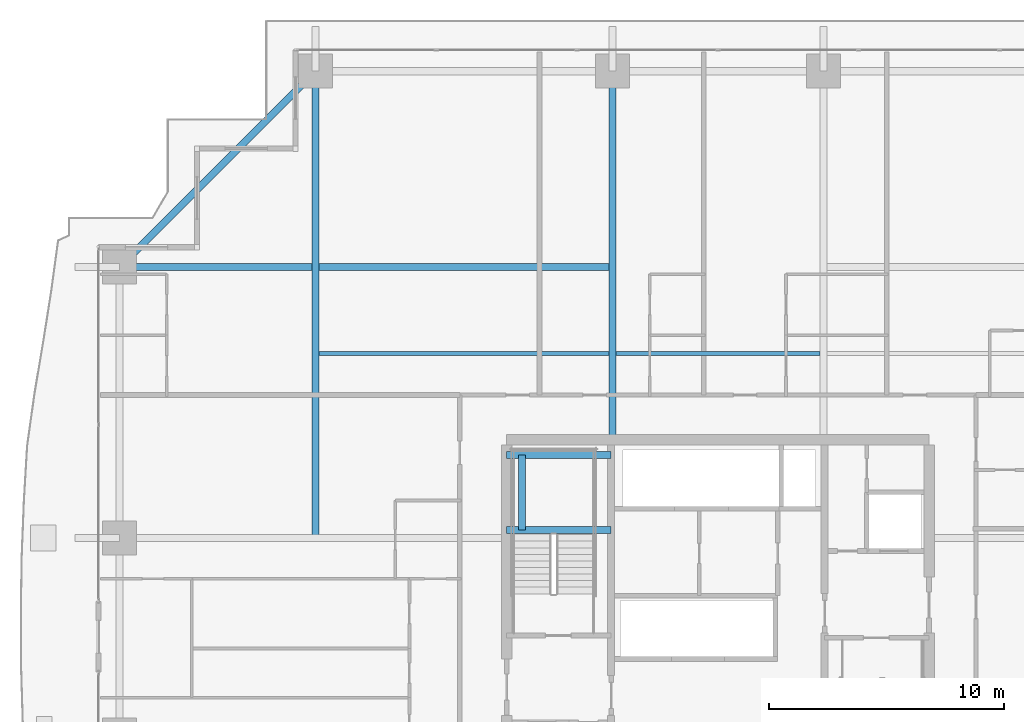
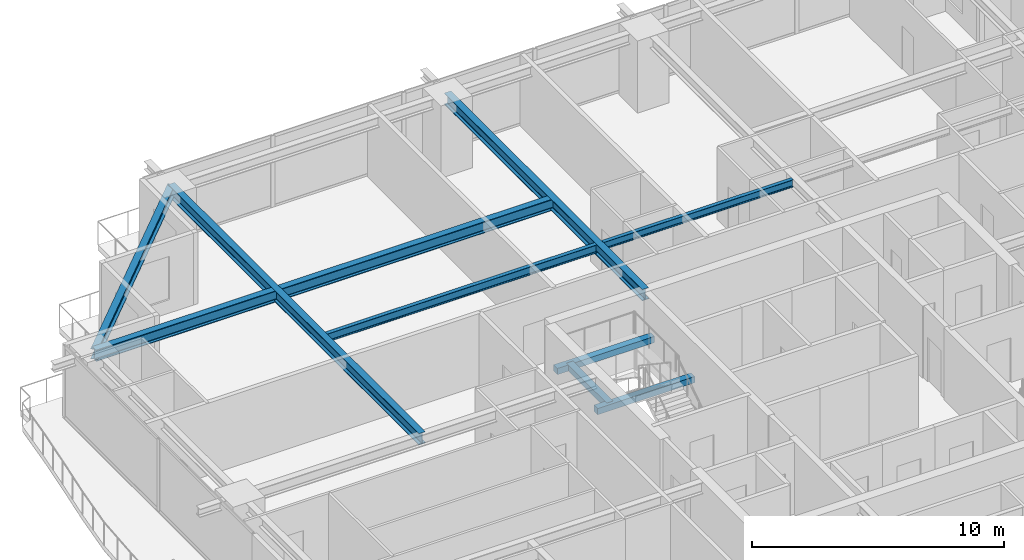
# One storey, part 19 of 40: 9 beams.
"""IFC4 building model written with IfcOpenShell, lengths in metres."""

from ifc_helpers import new_model, si_unit, direction, frame, origin, origin_2d, place, context, subcontext, project, spatial, rectangle, i_section, extrude, source, transform, mapped, material, material_profile, profile_set, type_object, element, save


model = new_model("IFC4")

# Units and contexts
model_context = context("Model", 3, precision=1e-05, world=origin(), true_north=direction((0.0, 1.0)))
body_context = subcontext(model_context, "Body", "Model", "MODEL_VIEW")
ifc_project = project(units=[si_unit("LENGTHUNIT", "METRE"), si_unit("AREAUNIT", "SQUARE_METRE"), si_unit("VOLUMEUNIT", "CUBIC_METRE"), si_unit("PLANEANGLEUNIT", "RADIAN"), si_unit("MASSUNIT", "GRAM", prefix="KILO")], contexts=[model_context])

# Site, building, storey
site_placement = place(None, origin())
site = spatial("IfcSite", under=ifc_project, at=site_placement, CompositionType="ELEMENT")
building_placement = place(site_placement, origin())
building = spatial("IfcBuilding", under=site, at=building_placement, Name="Serunith Strait Residences", CompositionType="ELEMENT")
storey_placement = place(building_placement, frame((0.0, 0.0, 90.449951171875)))
storey = spatial("IfcBuildingStorey", under=building, at=storey_placement, Name="L22", CompositionType="ELEMENT", Elevation=90.449951171875)

# Beams
ifc_material_1 = material(Name="Steel S355J2", Category="steel")
ifc_material_profile_1 = material_profile(ifc_material_1, i_section(OverallWidth=0.300048828125, OverallDepth=0.550048828125, WebThickness=0.014892578125, FlangeThickness=0.029052734375, FilletRadius=0.027099609375, at=origin_2d()), Name="HEB 550")
ifc_profile_set_1 = profile_set([ifc_material_profile_1], Name="Steel S355J2")
beam_type_1 = type_object("IfcBeamType", Name="BM-HEB550", PredefinedType="BEAM", material=ifc_profile_set_1)
shared_shape_1 = source(origin(), body_context, "Body", "SweptSolid", [
    extrude(i_section(OverallWidth=0.300048828125, OverallDepth=0.550048828125, WebThickness=0.014892578125, FlangeThickness=0.029052734375, FilletRadius=0.027099609375, at=origin_2d()), origin(), (0.0, 0.0, 1.0), 15.699951171875),
])
beam_1_placement = place(storey_placement, frame((27.89990234375, 33.60009765625, 3.212158203125), z_axis=(0.0, 1.0, 0.0), x_axis=(-1.0, 0.0, 0.0)))
element("IfcBeam", 1, at=beam_1_placement, inside=storey, type_object=beam_type_1, Name="L22 Primary Floor Girder TC-N2", PredefinedType="BEAM", context=body_context, shape_type="MappedRepresentation", body=[
    mapped(shared_shape_1, transform((0.0, 0.0, 0.0), scale=1.0)),
])
shared_shape_2 = source(origin(), body_context, "Body", "SweptSolid", [
    extrude(i_section(OverallWidth=0.300048828125, OverallDepth=0.550048828125, WebThickness=0.014892578125, FlangeThickness=0.029052734375, FilletRadius=0.027099609375, at=origin_2d()), origin(), (0.0, 0.0, 1.0), 19.900146484375),
])
beam_2_placement = place(storey_placement, frame((15.25, 29.39990234375, 3.212158203125), z_axis=(0.0, 1.0, 0.0), x_axis=(-1.0, 0.0, 0.0)))
element("IfcBeam", 2, at=beam_2_placement, inside=storey, type_object=beam_type_1, Name="L22 Orthogonal Corner Girder TC-N1", PredefinedType="BEAM", context=body_context, shape_type="MappedRepresentation", body=[
    mapped(shared_shape_2, transform((0.0, 0.0, 0.0), scale=1.0)),
])
shared_shape_3 = source(origin(), body_context, "Body", "SweptSolid", [
    extrude(i_section(OverallWidth=0.300048828125, OverallDepth=0.550048828125, WebThickness=0.014892578125, FlangeThickness=0.029052734375, FilletRadius=0.027099609375, at=origin_2d()), origin(), (0.0, 0.0, 1.0), 21.0),
])
beam_3_placement = place(storey_placement, frame((27.89990234375, 40.949951171875, 3.212158203125), z_axis=(-1.0, 0.0, 0.0), x_axis=(0.0, -1.0, 0.0)))
element("IfcBeam", 3, at=beam_3_placement, inside=storey, type_object=beam_type_1, Name="L22 Orthogonal Corner Girder TC-W4", PredefinedType="BEAM", context=body_context, shape_type="MappedRepresentation", body=[
    mapped(shared_shape_3, transform((0.0, 0.0, 0.0), scale=1.0)),
])
ifc_material_profile_2 = material_profile(ifc_material_1, i_section(OverallWidth=0.300048828125, OverallDepth=0.5, WebThickness=0.014404296875, FlangeThickness=0.028076171875, FilletRadius=0.027099609375, at=origin_2d()), Name="HEB 500")
ifc_profile_set_2 = profile_set([ifc_material_profile_2], Name="Steel S355J2")
beam_type_2 = type_object("IfcBeamType", Name="BM-HEB500", PredefinedType="BEAM", material=ifc_profile_set_2)
shared_shape_4 = source(origin(), body_context, "Body", "SweptSolid", [
    extrude(i_section(OverallWidth=0.300048828125, OverallDepth=0.5, WebThickness=0.014404296875, FlangeThickness=0.028076171875, FilletRadius=0.027099609375, at=origin_2d()), origin(), (0.0, 0.0, 1.0), 11.808837890625),
])
beam_4_placement = place(storey_placement, frame((15.25, 49.300048828125, 3.20703125), z_axis=(-0.707106781187, -0.707106781187, 0.0), x_axis=(0.707106781187, -0.707106781187, 0.0)))
element("IfcBeam", 4, at=beam_4_placement, inside=storey, type_object=beam_type_2, Name="L22 Perimeter Ring Beam 12", PredefinedType="BEAM", context=body_context, shape_type="MappedRepresentation", body=[
    mapped(shared_shape_4, transform((0.0, 0.0, 0.0), scale=1.0)),
])
ifc_material_profile_3 = material_profile(ifc_material_1, i_section(OverallWidth=0.179931640625, OverallDepth=0.39990234375, WebThickness=0.008544921875, FlangeThickness=0.013427734375, FilletRadius=0.02099609375, at=origin_2d()), Name="IPE 400")
ifc_profile_set_3 = profile_set([ifc_material_profile_3], Name="Steel S355J2")
beam_type_3 = type_object("IfcBeamType", Name="BM-IPE400", PredefinedType="JOIST", material=ifc_profile_set_3)
shared_shape_5 = source(origin(), body_context, "Body", "SweptSolid", [
    extrude(i_section(OverallWidth=0.179931640625, OverallDepth=0.39990234375, WebThickness=0.008544921875, FlangeThickness=0.013427734375, FilletRadius=0.02099609375, at=origin_2d()), origin(), (0.0, 0.0, 1.0), 12.35009765625),
])
beam_5_placement = place(storey_placement, frame((15.39990234375, 37.27490234375, 3.287109375), z_axis=(1.0, 0.0, 0.0), x_axis=(0.0, 1.0, 0.0)))
element("IfcBeam", 5, at=beam_5_placement, inside=storey, type_object=beam_type_3, Name="L22 Composite Floor Joist 04", PredefinedType="JOIST", context=body_context, shape_type="MappedRepresentation", body=[
    mapped(shared_shape_5, transform((0.0, 0.0, 0.0), scale=1.0)),
])
ifc_material_profile_4 = material_profile(ifc_material_1, i_section(OverallWidth=0.169921875, OverallDepth=0.360107421875, WebThickness=0.008056640625, FlangeThickness=0.0126953125, FilletRadius=0.01806640625, at=origin_2d()), Name="IPE 360")
ifc_profile_set_4 = profile_set([ifc_material_profile_4], Name="Steel S355J2")
beam_type_4 = type_object("IfcBeamType", Name="BM-IPE360", PredefinedType="JOIST", material=ifc_profile_set_4)
shared_shape_6 = source(origin(), body_context, "Body", "SweptSolid", [
    extrude(i_section(OverallWidth=0.169921875, OverallDepth=0.360107421875, WebThickness=0.008056640625, FlangeThickness=0.0126953125, FilletRadius=0.01806640625, at=origin_2d()), origin(), (0.0, 0.0, 1.0), 8.699951171875),
])
beam_6_placement = place(storey_placement, frame((28.050048828125, 37.27490234375, 3.30712890625), z_axis=(1.0, 0.0, 0.0), x_axis=(0.0, 1.0, 0.0)))
element("IfcBeam", 6, at=beam_6_placement, inside=storey, type_object=beam_type_4, Name="L22 Composite Floor Joist 05", PredefinedType="JOIST", context=body_context, shape_type="MappedRepresentation", body=[
    mapped(shared_shape_6, transform((0.0, 0.0, 0.0), scale=1.0)),
])
ifc_material_2 = material(Name="Concrete C60/75", Category="concrete")
ifc_material_profile_5 = material_profile(ifc_material_2, rectangle(XDim=0.300048828125, YDim=0.300048828125, at=origin_2d()), Name="RC 300x300")
ifc_profile_set_5 = profile_set([ifc_material_profile_5], Name="Concrete C60/75")
beam_type_5 = type_object("IfcBeamType", Name="BM-LAND-300x300", PredefinedType="BEAM", material=ifc_profile_set_5)
shared_shape_7 = source(origin(), body_context, "Body", "SweptSolid", [
    extrude(rectangle(XDim=0.300048828125, YDim=0.300048828125, at=origin_2d()), origin(), (0.0, 0.0, 1.0), 4.4501953125),
])
for number, where, z_axis, x_axis, name in (
    (7, (23.39990234375, 29.75, 1.525146484375), (1.0, 0.0, 0.0), (0.0, 1.0, 0.0), "L22 ST-1 Landing Support Beam 1"),
    (8, (23.39990234375, 32.949951171875, 1.525146484375), (1.0, 0.0, 0.0), (0.0, 1.0, 0.0), "L22 ST-1 Landing Support Beam 2"),
):
    element("IfcBeam", number, at=place(storey_placement, frame(where, z_axis=z_axis, x_axis=x_axis)), inside=storey, type_object=beam_type_5, Name=name, PredefinedType="BEAM", context=body_context, shape_type="MappedRepresentation", body=[
        mapped(shared_shape_7, transform((0.0, 0.0, 0.0), scale=1.0)),
    ])
shared_shape_8 = source(origin(), body_context, "Body", "SweptSolid", [
    extrude(rectangle(XDim=0.300048828125, YDim=0.300048828125, at=origin_2d()), origin(), (0.0, 0.0, 1.0), 3.199951171875),
])
beam_7_placement = place(storey_placement, frame((24.050048828125, 29.75, 1.525146484375), z_axis=(0.0, 1.0, 0.0), x_axis=(-1.0, 0.0, 0.0)))
element("IfcBeam", 9, at=beam_7_placement, inside=storey, type_object=beam_type_5, Name="L22 ST-1 Landing Transverse Tie Beam", PredefinedType="BEAM", context=body_context, shape_type="MappedRepresentation", body=[
    mapped(shared_shape_8, transform((0.0, 0.0, 0.0), scale=1.0)),
])

save(model, "model.ifc")
